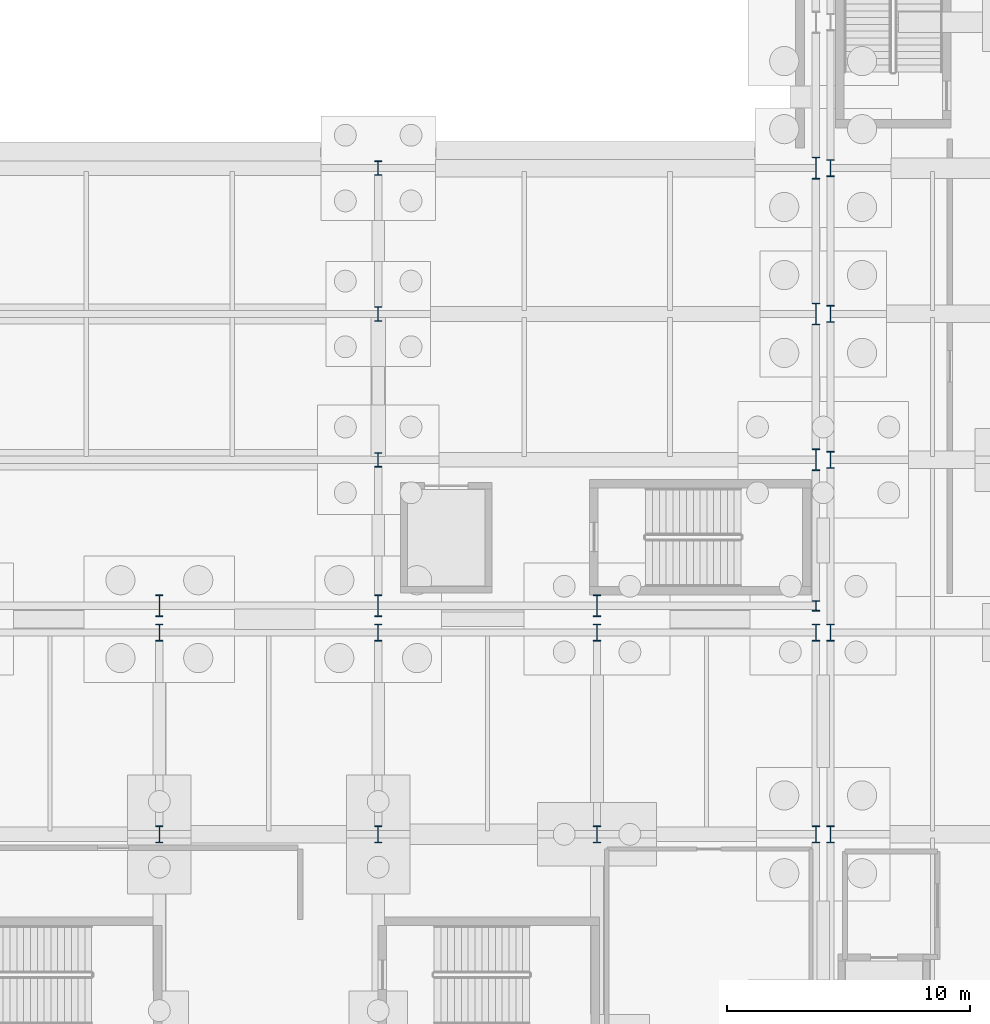
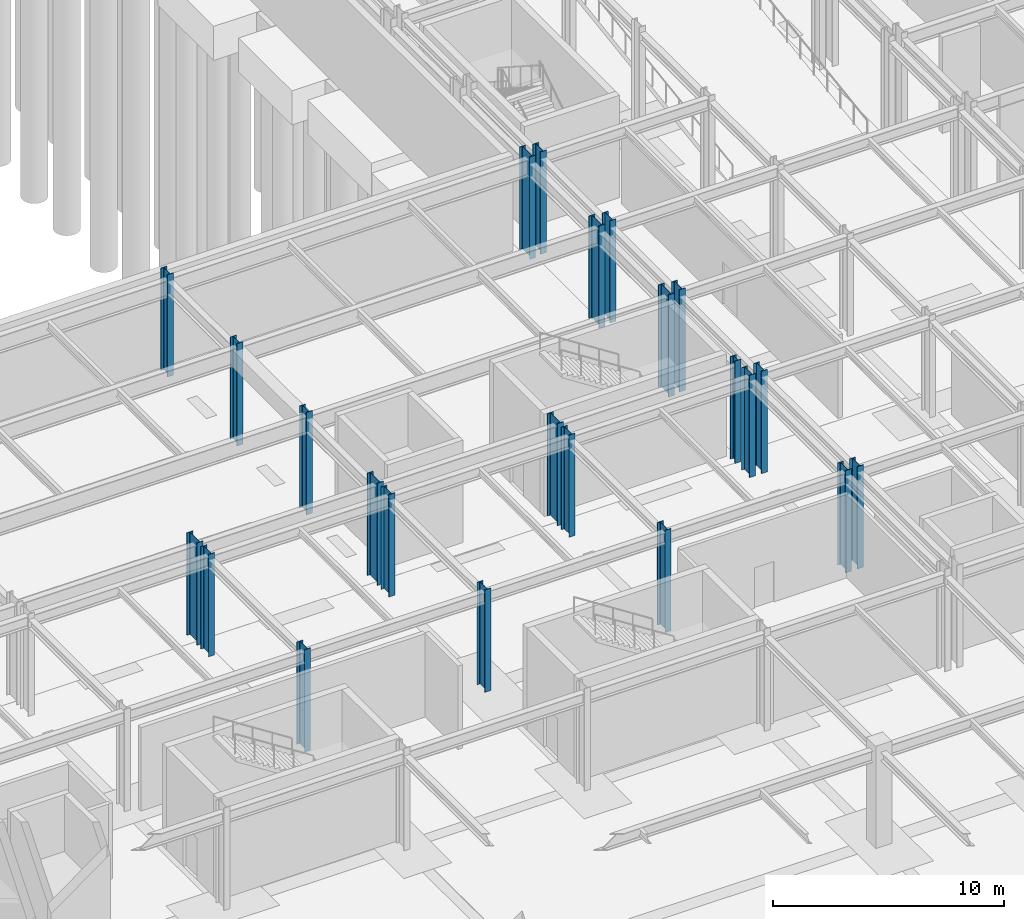
# One storey, part 20 of 65: 23 columns.
"""IFC4 building model written with IfcOpenShell, lengths in metres."""

from ifc_helpers import new_model, si_unit, direction, frame, origin, origin_2d, place, context, subcontext, project, spatial, i_section, extrude, material, material_profile, profile_set, type_object, element, save


model = new_model("IFC4")

# Units and contexts
model_context = context("Model", 3, precision=1e-05, world=origin(), true_north=direction((0.0, 1.0)))
body_context = subcontext(model_context, "Body", "Model", "MODEL_VIEW")
ifc_project = project(units=[si_unit("LENGTHUNIT", "METRE"), si_unit("AREAUNIT", "SQUARE_METRE"), si_unit("VOLUMEUNIT", "CUBIC_METRE"), si_unit("PLANEANGLEUNIT", "RADIAN"), si_unit("MASSUNIT", "GRAM", prefix="KILO")], contexts=[model_context])

# Site, building, storey
site_placement = place(None, origin())
site = spatial("IfcSite", under=ifc_project, at=site_placement, CompositionType="ELEMENT")
building_placement = place(site_placement, origin())
building = spatial("IfcBuilding", under=site, at=building_placement, Name="Kaldris Quays Convention Centre", CompositionType="ELEMENT")
storey_placement = place(building_placement, frame((0.0, 0.0, -5.39990234375)))
storey = spatial("IfcBuildingStorey", under=building, at=storey_placement, Name="B1", CompositionType="ELEMENT", Elevation=-5.39990234375)

# Columns
ifc_material_1 = material(Name="Steel S460ML", Category="steel")
ifc_material_profile_1 = material_profile(ifc_material_1, i_section(OverallWidth=0.306884765625, OverallDepth=0.431884765625, WebThickness=0.02099609375, FlangeThickness=0.0400390625, FilletRadius=0.027099609375, at=origin_2d()), Name="HEM 400")
ifc_profile_set_1 = profile_set([ifc_material_profile_1], Name="Steel S460ML")
column_type_1 = type_object("IfcColumnType", Name="STRUCTURAL COLUMN CL01", PredefinedType="COLUMN", material=ifc_profile_set_1)
column_placement = place(storey_placement, frame((146.0, 56.0, 0.0), z_axis=(0.0, 0.0, 1.0), x_axis=(1.0, 0.0, 0.0)))
element("IfcColumn", 1, at=column_placement, inside=storey, type_object=column_type_1, Name="B1 V1 Column CL01 (146.00, 56.00)", PredefinedType="COLUMN", context=body_context, shape_type="SweptSolid", body=[
    extrude(i_section(OverallWidth=0.306884765625, OverallDepth=0.431884765625, WebThickness=0.02099609375, FlangeThickness=0.0400390625, FilletRadius=0.027099609375, at=origin_2d()), origin(), (0.0, 0.0, 1.0), 5.39990234375),
])
ifc_material_2 = material(Name="Steel S355J2", Category="steel")
ifc_material_profile_2 = material_profile(ifc_material_2, i_section(OverallWidth=0.300048828125, OverallDepth=0.89990234375, WebThickness=0.0185546875, FlangeThickness=0.034912109375, FilletRadius=0.030029296875, at=origin_2d()), Name="HEB 900")
ifc_profile_set_2 = profile_set([ifc_material_profile_2], Name="Steel S355J2")
column_type_2 = type_object("IfcColumnType", Name="STRUCTURAL COLUMN CL03", PredefinedType="COLUMN", material=ifc_profile_set_2)
for number, where, z_axis, x_axis, name in (
    (2, (119.0, 56.0, 0.0), (0.0, 0.0, 1.0), (1.0, 0.0, 0.0), "B1 V1 Column CL03 (119.00, 56.00)"),
    (3, (128.0, 56.0, 0.0), (0.0, 0.0, 1.0), (1.0, 0.0, 0.0), "B1 V1 Column CL03 (128.00, 56.00)"),
    (4, (137.0, 56.0, 0.0), (0.0, 0.0, 1.0), (1.0, 0.0, 0.0), "B1 V1 Column CL03 (137.00, 56.00)"),
    (5, (146.0, 62.0, 0.0), (0.0, 0.0, 1.0), (1.0, 0.0, 0.0), "B1 V1 Column CL03 (146.00, 62.00)"),
    (6, (146.0, 68.0, 0.0), (0.0, 0.0, 1.0), (1.0, 0.0, 0.0), "B1 V1 Column CL03 (146.00, 68.00)"),
    (7, (146.0, 74.0, 0.0), (0.0, 0.0, 1.0), (1.0, 0.0, 0.0), "B1 V1 Column CL03 (146.00, 74.00)"),
):
    element("IfcColumn", number, at=place(storey_placement, frame(where, z_axis=z_axis, x_axis=x_axis)), inside=storey, type_object=column_type_2, Name=name, PredefinedType="COLUMN", context=body_context, shape_type="SweptSolid", body=[
        extrude(i_section(OverallWidth=0.300048828125, OverallDepth=0.89990234375, WebThickness=0.0185546875, FlangeThickness=0.034912109375, FilletRadius=0.030029296875, at=origin_2d()), origin(), (0.0, 0.0, 1.0), 5.39990234375),
    ])
ifc_material_profile_3 = material_profile(ifc_material_2, i_section(OverallWidth=0.300048828125, OverallDepth=0.699951171875, WebThickness=0.01708984375, FlangeThickness=0.031982421875, FilletRadius=0.027099609375, at=origin_2d()), Name="HEB 700")
ifc_profile_set_3 = profile_set([ifc_material_profile_3], Name="Steel S355J2")
column_type_3 = type_object("IfcColumnType", Name="STRUCTURAL COLUMN CL05", PredefinedType="COLUMN", material=ifc_profile_set_3)
for number, where, z_axis, x_axis, name in (
    (8, (119.0, 46.60009765625, 0.0), (0.0, 0.0, 1.0), (1.0, 0.0, 0.0), "B1 V4 Column CL05 (119.00, 46.60)"),
    (9, (119.0, 54.89990234375, 0.0), (0.0, 0.0, 1.0), (1.0, 0.0, 0.0), "B1 V4 Column CL05 (119.00, 54.90)"),
    (10, (128.0, 46.60009765625, 0.0), (0.0, 0.0, 1.0), (1.0, 0.0, 0.0), "B1 V4 Column CL05 (128.00, 46.60)"),
    (11, (128.0, 54.89990234375, 0.0), (0.0, 0.0, 1.0), (1.0, 0.0, 0.0), "B1 V4 Column CL05 (128.00, 54.90)"),
    (12, (137.0, 46.60009765625, 0.0), (0.0, 0.0, 1.0), (1.0, 0.0, 0.0), "B1 V4 Column CL05 (137.00, 46.60)"),
    (13, (137.0, 54.89990234375, 0.0), (0.0, 0.0, 1.0), (1.0, 0.0, 0.0), "B1 V4 Column CL05 (137.00, 54.90)"),
    (14, (146.0, 46.60009765625, 0.0), (0.0, 0.0, 1.0), (1.0, 0.0, 0.0), "B1 V4 Column CL05 (146.00, 46.60)"),
    (15, (146.0, 54.89990234375, 0.0), (0.0, 0.0, 1.0), (1.0, 0.0, 0.0), "B1 V4 Column CL05 (146.00, 54.90)"),
    (16, (146.60009765625, 46.60009765625, 0.0), (0.0, 0.0, 1.0), (1.0, 0.0, 0.0), "B1 V4 Column CL05 (146.60, 46.60)"),
    (17, (146.60009765625, 54.89990234375, 0.0), (0.0, 0.0, 1.0), (1.0, 0.0, 0.0), "B1 V4 Column CL05 (146.60, 54.90)"),
    (18, (146.60009765625, 62.0, 0.0), (0.0, 0.0, 1.0), (1.0, 0.0, 0.0), "B1 V4 Column CL05 (146.60, 62.00)"),
    (19, (146.60009765625, 68.0, 0.0), (0.0, 0.0, 1.0), (1.0, 0.0, 0.0), "B1 V4 Column CL05 (146.60, 68.00)"),
    (20, (146.60009765625, 74.0, 0.0), (0.0, 0.0, 1.0), (1.0, 0.0, 0.0), "B1 V4 Column CL05 (146.60, 74.00)"),
):
    element("IfcColumn", number, at=place(storey_placement, frame(where, z_axis=z_axis, x_axis=x_axis)), inside=storey, type_object=column_type_3, Name=name, PredefinedType="COLUMN", context=body_context, shape_type="SweptSolid", body=[
        extrude(i_section(OverallWidth=0.300048828125, OverallDepth=0.699951171875, WebThickness=0.01708984375, FlangeThickness=0.031982421875, FilletRadius=0.027099609375, at=origin_2d()), origin(), (0.0, 0.0, 1.0), 5.39990234375),
    ])
ifc_material_profile_4 = material_profile(ifc_material_2, i_section(OverallWidth=0.300048828125, OverallDepth=0.60009765625, WebThickness=0.015380859375, FlangeThickness=0.030029296875, FilletRadius=0.027099609375, at=origin_2d()), Name="HEB 600")
ifc_profile_set_4 = profile_set([ifc_material_profile_4], Name="Steel S355J2")
column_type_4 = type_object("IfcColumnType", Name="STRUCTURAL COLUMN CL06", PredefinedType="COLUMN", material=ifc_profile_set_4)
for number, where, z_axis, x_axis, name in (
    (21, (128.0, 62.0, 0.0), (0.0, 0.0, 1.0), (1.0, 0.0, 0.0), "B1 V1 Column CL06 (128.00, 62.00)"),
    (22, (128.0, 68.0, 0.0), (0.0, 0.0, 1.0), (1.0, 0.0, 0.0), "B1 V1 Column CL06 (128.00, 68.00)"),
    (23, (128.0, 74.0, 0.0), (0.0, 0.0, 1.0), (1.0, 0.0, 0.0), "B1 V1 Column CL06 (128.00, 74.00)"),
):
    element("IfcColumn", number, at=place(storey_placement, frame(where, z_axis=z_axis, x_axis=x_axis)), inside=storey, type_object=column_type_4, Name=name, PredefinedType="COLUMN", context=body_context, shape_type="SweptSolid", body=[
        extrude(i_section(OverallWidth=0.300048828125, OverallDepth=0.60009765625, WebThickness=0.015380859375, FlangeThickness=0.030029296875, FilletRadius=0.027099609375, at=origin_2d()), origin(), (0.0, 0.0, 1.0), 5.39990234375),
    ])

save(model, "model.ifc")
